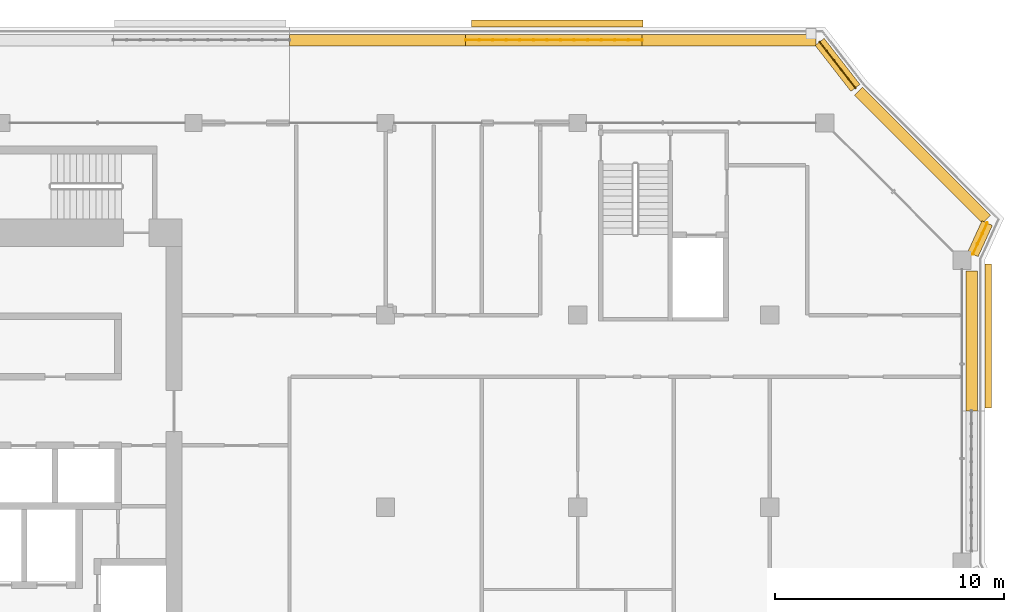
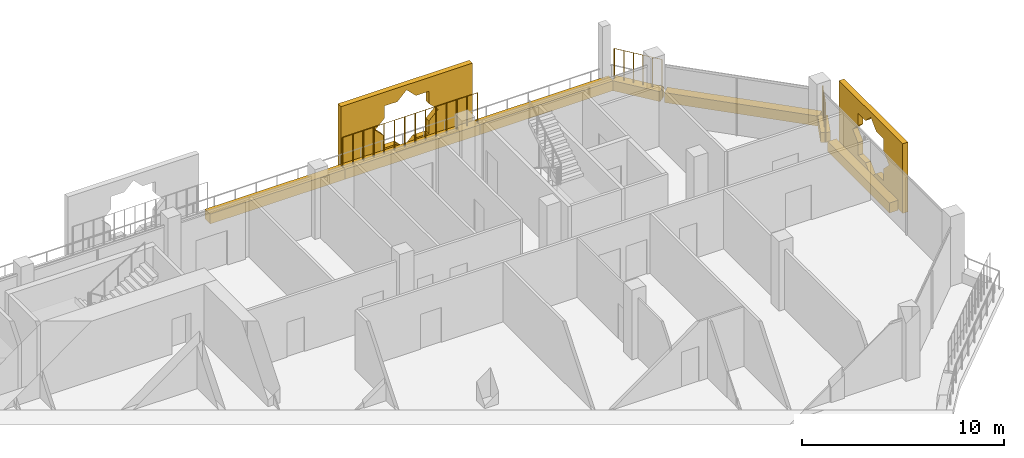
# One storey, part 21 of 21: 9 coverings, 3 railings.
"""IFC4 building model written with IfcOpenShell, lengths in metres."""

import ifcopenshell
import ifcopenshell.guid

model = None  # the IFC model being written
_history = None  # IfcOwnerHistory: only IFC2X3 demands one
_inside = {}  # id of a spatial element -> (the spatial element, [elements in it])
_under = {}  # id of a project, library or spatial element -> (it, [spatial elements below it])
_declared = {}  # id of a project -> (the project, [libraries it declares])
_typed = {}  # id of a type object -> (the type object, [elements of that type])
_made_of = {}  # id of a material, layer set ... -> (it, [elements and type objects made of it])


def new_model(schema):
    """Start an empty IFC model of exactly this schema.

    Asked for "IFC4X3", IfcOpenShell would pick the latest addendum, in which some entities
    have other attributes; the version numbers below select the first issue.
    IFC2X3 requires an IfcOwnerHistory on every rooted entity: one is made here for all.
    """
    global model, _history
    if schema == "IFC4X3":
        model = ifcopenshell.file(schema_version=(4, 3, 0, 0))
    else:
        model = ifcopenshell.file(schema=schema)
    _inside.clear()
    _under.clear()
    _declared.clear()
    _typed.clear()
    _made_of.clear()
    _history = None
    if model.schema == "IFC2X3":
        org = make("IfcOrganization", Name="unknown")
        user = make(
            "IfcPersonAndOrganization",
            ThePerson=make("IfcPerson", FamilyName="unknown"),
            TheOrganization=org,
        )
        app = make(
            "IfcApplication",
            ApplicationDeveloper=org,
            Version="unknown",
            ApplicationFullName="unknown",
            ApplicationIdentifier="unknown",
        )
        _history = make(
            "IfcOwnerHistory",
            OwningUser=user,
            OwningApplication=app,
            ChangeAction="ADDED",
            CreationDate=0,
        )
    return model


def make(cls, **values):
    """One entity of the class cls with the attributes given. An attribute that is None is left unset."""
    return model.create_entity(
        cls, **{name: value for name, value in values.items() if value is not None}
    )


def rooted(cls, **values):
    """An entity with a GlobalId (a new one), such as an element, a storey or a relation."""
    return make(cls, GlobalId=ifcopenshell.guid.new(), OwnerHistory=_history, **values)


def si_unit(unit_type, name, prefix=None):
    """IfcSIUnit, for example si_unit("LENGTHUNIT", "METRE", prefix="MILLI")."""
    return make("IfcSIUnit", UnitType=unit_type, Prefix=prefix, Name=name)


def assignment(units):
    """IfcUnitAssignment: the units of a project."""
    return None if units is None else make("IfcUnitAssignment", Units=units)


def point(xyz):
    """IfcCartesianPoint."""
    return None if xyz is None else make("IfcCartesianPoint", Coordinates=xyz)


def direction(xyz):
    """IfcDirection."""
    return None if xyz is None else make("IfcDirection", DirectionRatios=xyz)


def frame(location, z_axis=None, x_axis=None):
    """IfcAxis2Placement3D, a coordinate frame: its origin and axes. An axis left out is left unset."""
    return make(
        "IfcAxis2Placement3D",
        Location=point(location),
        Axis=direction(z_axis),
        RefDirection=direction(x_axis),
    )


def frame_2d(location, x_axis=None):
    """IfcAxis2Placement2D, a coordinate frame in the plane: its origin and x axis."""
    return make(
        "IfcAxis2Placement2D", Location=point(location), RefDirection=direction(x_axis)
    )


def origin():
    """The frame at (0, 0, 0) with its axes left unset."""
    return frame((0.0, 0.0, 0.0))


def origin_2d():
    """The frame at (0, 0) in the plane with its x axis left unset."""
    return frame_2d((0.0, 0.0))


def place(relative_to, where):
    """IfcLocalPlacement: puts the frame where relative to a parent placement (None: the world)."""
    return make(
        "IfcLocalPlacement", PlacementRelTo=relative_to, RelativePlacement=where
    )


def context(
    kind, dimensions, precision=None, world=None, true_north=None, identifier=None
):
    """IfcGeometricRepresentationContext, for example the 3D "Model" context."""
    return make(
        "IfcGeometricRepresentationContext",
        ContextIdentifier=identifier,
        ContextType=kind,
        CoordinateSpaceDimension=dimensions,
        Precision=precision,
        WorldCoordinateSystem=world,
        TrueNorth=true_north,
    )


def subcontext(parent, identifier, kind, view, scale=None):
    """IfcGeometricRepresentationSubContext, for example "Body" below "Model"."""
    return make(
        "IfcGeometricRepresentationSubContext",
        ContextIdentifier=identifier,
        ContextType=kind,
        ParentContext=parent,
        TargetScale=scale,
        TargetView=view,
    )


def project(units=None, contexts=None):
    """IfcProject with its units and contexts."""
    return rooted(
        "IfcProject",
        Name="project",
        RepresentationContexts=contexts,
        UnitsInContext=assignment(units),
    )


def spatial(cls, under=None, at=None, **own):
    """A site, building, storey or space (cls), placed at a placement, below another one or the project."""
    s = rooted(cls, ObjectPlacement=at, **own)
    if under is not None:
        _under.setdefault(under.id(), (under, []))[1].append(s)
    return s


def polyline(points):
    """IfcPolyline through the points."""
    return make("IfcPolyline", Points=[point(p) for p in points])


def profile(cls, at=None, kind="AREA", **sizes):
    """A parametric profile (cls). Its sizes go by their IFC names, for example OverallWidth=200.0."""
    return make(cls, ProfileType=kind, Position=at, **sizes)


def rectangle(**sizes):
    """IfcRectangleProfileDef."""
    return profile("IfcRectangleProfileDef", **sizes)


def circle(**sizes):
    """IfcCircleProfileDef."""
    return profile("IfcCircleProfileDef", **sizes)


def outline(outer, holes=None, kind="AREA"):
    """IfcArbitraryClosedProfileDef: a profile drawn as a closed curve; with holes, ...WithVoids."""
    if holes is None:
        return make("IfcArbitraryClosedProfileDef", ProfileType=kind, OuterCurve=outer)
    return make(
        "IfcArbitraryProfileDefWithVoids",
        ProfileType=kind,
        OuterCurve=outer,
        InnerCurves=holes,
    )


def extrude(swept, where, along, depth):
    """IfcExtrudedAreaSolid: the profile swept, set in the frame where, extruded along a direction by depth."""
    return make(
        "IfcExtrudedAreaSolid",
        SweptArea=swept,
        Position=where,
        ExtrudedDirection=direction(along),
        Depth=depth,
    )


def shape(context_of_items, identifier, shape_type, items):
    """IfcShapeRepresentation: the items that make up one representation, for example the "Body"."""
    return make(
        "IfcShapeRepresentation",
        ContextOfItems=context_of_items,
        RepresentationIdentifier=identifier,
        RepresentationType=shape_type,
        Items=items,
    )


def material(Name=None, Category=None):
    """IfcMaterial."""
    return make("IfcMaterial", Name=Name, Category=Category)


def material_profile(
    of_material, cross_section, Name=None, Category=None, Priority=None
):
    """IfcMaterialProfile: a cross section and its material."""
    return make(
        "IfcMaterialProfile",
        Name=Name,
        Material=of_material,
        Profile=cross_section,
        Priority=Priority,
        Category=Category,
    )


def profile_set(profiles, Name=None, composite=None):
    """IfcMaterialProfileSet."""
    return make(
        "IfcMaterialProfileSet",
        Name=Name,
        MaterialProfiles=profiles,
        CompositeProfile=composite,
    )


def made_of(thing, what):
    """Note that an element or type object is made of a material, layer set ...; save() writes the relation."""
    if what is not None:
        _made_of.setdefault(what.id(), (what, []))[1].append(thing)
    return thing


def type_object(cls, material=None, **own):
    """A type object (cls), such as IfcWallType, which elements share."""
    return made_of(rooted(cls, **own), material)


def element(
    cls,
    number,
    at=None,
    inside=None,
    cuts=None,
    type_object=None,
    material=None,
    context=None,
    identifier="Body",
    shape_type=None,
    held_by="IfcProductDefinitionShape",
    body=None,
    shapes=None,
    **own,
):
    """One element of the class cls, such as IfcWall. Its Tag is "e" and its number.

    at: its placement. inside: the storey or other place that contains it. cuts: it is an
    opening in that element (IfcRelVoidsElement). A single representation is given by context,
    identifier, shape_type and body (its items); several are given by shapes. held_by: the class
    of the entity that holds the representations. save() writes the other relations.
    """
    e = rooted(cls, Tag="e%d" % number, ObjectPlacement=at, **own)
    if body is not None:
        shapes = [shape(context, identifier, shape_type, body)]
    if shapes is not None:
        e.Representation = make(held_by, Representations=shapes)
    if inside is not None:
        _inside.setdefault(inside.id(), (inside, []))[1].append(e)
    if cuts is not None:
        rooted(
            "IfcRelVoidsElement", RelatingBuildingElement=cuts, RelatedOpeningElement=e
        )
    if type_object is not None:
        _typed.setdefault(type_object.id(), (type_object, []))[1].append(e)
    return made_of(e, material)


def aggregate(whole, parts):
    """IfcRelAggregates: a whole, such as a stair, and the parts it consists of."""
    return rooted("IfcRelAggregates", RelatingObject=whole, RelatedObjects=parts)


def save(model, path):
    """Write the relations noted so far, then the file.

    IfcRelAggregates (storeys below a building ...), IfcRelContainedInSpatialStructure (elements
    in a storey), IfcRelDefinesByType, IfcRelAssociatesMaterial and IfcRelDeclares: one each for
    every whole, place, type object, material and project.
    """
    for whole, parts in _under.values():
        aggregate(whole, parts)
    for where, things in _inside.values():
        rooted(
            "IfcRelContainedInSpatialStructure",
            RelatedElements=things,
            RelatingStructure=where,
        )
    for kind, things in _typed.values():
        rooted("IfcRelDefinesByType", RelatedObjects=things, RelatingType=kind)
    for what, things in _made_of.values():
        rooted("IfcRelAssociatesMaterial", RelatedObjects=things, RelatingMaterial=what)
    for by, libraries in _declared.values():
        rooted("IfcRelDeclares", RelatingContext=by, RelatedDefinitions=libraries)
    model.write(path)


model = new_model("IFC4")

# Units and contexts
model_context = context("Model", 3, precision=1e-05, world=origin(), true_north=direction((0.0, 1.0)))
body_context = subcontext(model_context, "Body", "Model", "MODEL_VIEW")
ifc_project = project(units=[si_unit("LENGTHUNIT", "METRE"), si_unit("AREAUNIT", "SQUARE_METRE"), si_unit("VOLUMEUNIT", "CUBIC_METRE"), si_unit("PLANEANGLEUNIT", "RADIAN"), si_unit("MASSUNIT", "GRAM", prefix="KILO")], contexts=[model_context])

# Site, building, storey
site_placement = place(None, origin())
site = spatial("IfcSite", under=ifc_project, at=site_placement, CompositionType="ELEMENT")
building_placement = place(site_placement, origin())
building = spatial("IfcBuilding", under=site, at=building_placement, Name="Kawkab Arch Medical Tower", CompositionType="ELEMENT")
storey_placement = place(building_placement, frame((0.0, 0.0, 311.199951171875)))
storey = spatial("IfcBuildingStorey", under=building, at=storey_placement, Name="L72", CompositionType="ELEMENT", Elevation=311.199951171875)

# Coverings
ifc_material_1 = material(Name="Bronze anodised aluminium mashrabiya panel, eight-point star pattern", Category="aluminium")
ifc_material_profile_1 = material_profile(ifc_material_1, outline(polyline([(-3.14990234375, -2.10009765625), (3.14990234375, -2.10009765625), (3.14990234375, 2.10009765625), (-3.14990234375, 2.10009765625), (-3.14990234375, -2.10009765625)]), holes=[polyline([(1.800048828125, 0.0), (1.272705078125, 0.527099609375), (1.272705078125, 1.272705078125), (0.527099609375, 1.272705078125), (0.0, 1.800048828125), (-0.527099609375, 1.272705078125), (-1.272705078125, 1.272705078125), (-1.272705078125, 0.527099609375), (-1.800048828125, 0.0), (-1.272705078125, -0.527099609375), (-1.272705078125, -1.272705078125), (-0.527099609375, -1.272705078125), (0.0, -1.800048828125), (0.527099609375, -1.272705078125), (1.272705078125, -1.272705078125), (1.272705078125, -0.527099609375), (1.800048828125, 0.0)])]), Name="Mashrabiya panel 6300x4200")
ifc_profile_set_1 = profile_set([ifc_material_profile_1], Name="Bronze anodised aluminium mashrabiya panel, eight-point star pattern")
covering_type_1 = type_object("IfcCoveringType", Name="Mashrabiya panel 6300 x 4200", PredefinedType="USERDEFINED", material=ifc_profile_set_1)
covering_1_placement = place(storey_placement, frame((59.800048828125, -9.31884765625, 1.699951171875), z_axis=(1.0, 0.0, 0.0), x_axis=(0.0, 1.0, 0.0)))
element("IfcCovering", 1, at=covering_1_placement, inside=storey, type_object=covering_type_1, Name="Mashrabiya panel L72.LOG-01-01.6", ObjectType="SCREEN", PredefinedType="USERDEFINED", context=body_context, shape_type="SweptSolid", body=[
    extrude(outline(polyline([(-3.14990234375, -2.10009765625), (3.14990234375, -2.10009765625), (3.14990234375, 2.10009765625), (-3.14990234375, 2.10009765625), (-3.14990234375, -2.10009765625)]), holes=[polyline([(1.800048828125, 0.0), (1.272705078125, 0.527099609375), (1.272705078125, 1.272705078125), (0.527099609375, 1.272705078125), (0.0, 1.800048828125), (-0.527099609375, 1.272705078125), (-1.272705078125, 1.272705078125), (-1.272705078125, 0.527099609375), (-1.800048828125, 0.0), (-1.272705078125, -0.527099609375), (-1.272705078125, -1.272705078125), (-0.527099609375, -1.272705078125), (0.0, -1.800048828125), (0.527099609375, -1.272705078125), (1.272705078125, -1.272705078125), (1.272705078125, -0.527099609375), (1.800048828125, 0.0)])]), origin(), (0.0, 0.0, 1.0), 0.300048828125),
])
ifc_material_2 = material(Name="Bronze anodised aluminium mashrabiya panel, eight-point star pattern", Category="aluminium")
ifc_material_profile_2 = material_profile(ifc_material_2, outline(polyline([(-3.75, -2.10009765625), (3.75, -2.10009765625), (3.75, 2.10009765625), (-3.75, 2.10009765625), (-3.75, -2.10009765625)]), holes=[polyline([(1.800048828125, 0.0), (1.272705078125, 0.527099609375), (1.272705078125, 1.272705078125), (0.527099609375, 1.272705078125), (0.0, 1.800048828125), (-0.527099609375, 1.272705078125), (-1.272705078125, 1.272705078125), (-1.272705078125, 0.527099609375), (-1.800048828125, 0.0), (-1.272705078125, -0.527099609375), (-1.272705078125, -1.272705078125), (-0.527099609375, -1.272705078125), (0.0, -1.800048828125), (0.527099609375, -1.272705078125), (1.272705078125, -1.272705078125), (1.272705078125, -0.527099609375), (1.800048828125, 0.0)])]), Name="Mashrabiya panel 7500x4200")
ifc_profile_set_2 = profile_set([ifc_material_profile_2], Name="Bronze anodised aluminium mashrabiya panel, eight-point star pattern")
covering_type_2 = type_object("IfcCoveringType", Name="Mashrabiya panel 7500 x 4200", PredefinedType="USERDEFINED", material=ifc_profile_set_2)
covering_2_placement = place(storey_placement, frame((41.09765625, 4.199951171875, 1.699951171875), z_axis=(0.0, 1.0, 0.0), x_axis=(-1.0, 0.0, 0.0)))
element("IfcCovering", 2, at=covering_2_placement, inside=storey, type_object=covering_type_2, Name="Mashrabiya panel L72.LOG-01-01.5", ObjectType="SCREEN", PredefinedType="USERDEFINED", context=body_context, shape_type="SweptSolid", body=[
    extrude(outline(polyline([(-3.75, -2.10009765625), (3.75, -2.10009765625), (3.75, 2.10009765625), (-3.75, 2.10009765625), (-3.75, -2.10009765625)]), holes=[polyline([(1.800048828125, 0.0), (1.272705078125, 0.527099609375), (1.272705078125, 1.272705078125), (0.527099609375, 1.272705078125), (0.0, 1.800048828125), (-0.527099609375, 1.272705078125), (-1.272705078125, 1.272705078125), (-1.272705078125, 0.527099609375), (-1.800048828125, 0.0), (-1.272705078125, -0.527099609375), (-1.272705078125, -1.272705078125), (-0.527099609375, -1.272705078125), (0.0, -1.800048828125), (0.527099609375, -1.272705078125), (1.272705078125, -1.272705078125), (1.272705078125, -0.527099609375), (1.800048828125, 0.0)])]), origin(), (0.0, 0.0, 1.0), 0.300048828125),
])
ifc_material_3 = material(Name="Planting soil in a precast trough", Category="concrete")
ifc_material_profile_3 = material_profile(ifc_material_3, rectangle(XDim=0.5, YDim=0.60009765625, at=origin_2d()), Name="Trough 500x600")
ifc_profile_set_3 = profile_set([ifc_material_profile_3], Name="Planting soil in a precast trough")
covering_type_3 = type_object("IfcCoveringType", Name="Planter trough 500 x 600", PredefinedType="USERDEFINED", material=ifc_profile_set_3)
covering_3_placement = place(storey_placement, frame((29.39990234375, 3.6201171875, 0.300048828125), z_axis=(1.0, 0.0, 0.0), x_axis=(0.0, 1.0, 0.0)))
element("IfcCovering", 3, at=covering_3_placement, inside=storey, type_object=covering_type_3, Name="Planter L72.LOG-01-01.16", ObjectType="PLANTER", PredefinedType="USERDEFINED", context=body_context, shape_type="SweptSolid", body=[
    extrude(rectangle(XDim=0.5, YDim=0.60009765625, at=origin_2d()), origin(), (0.0, 0.0, 1.0), 7.705078125),
])
covering_4_placement = place(storey_placement, frame((37.10498046875, 3.6201171875, 0.300048828125), z_axis=(1.0, 0.0, 0.0), x_axis=(0.0, 1.0, 0.0)))
element("IfcCovering", 4, at=covering_4_placement, inside=storey, type_object=covering_type_3, Name="Planter L72.LOG-01-01.17", ObjectType="PLANTER", PredefinedType="USERDEFINED", context=body_context, shape_type="SweptSolid", body=[
    extrude(rectangle(XDim=0.5, YDim=0.60009765625, at=origin_2d()), origin(), (0.0, 0.0, 1.0), 7.7060546875),
])
covering_5_placement = place(storey_placement, frame((44.81103515625, 3.6201171875, 0.300048828125), z_axis=(1.0, 0.0, 0.0), x_axis=(0.0, 1.0, 0.0)))
element("IfcCovering", 5, at=covering_5_placement, inside=storey, type_object=covering_type_3, Name="Planter L72.LOG-01-01.18", ObjectType="PLANTER", PredefinedType="USERDEFINED", context=body_context, shape_type="SweptSolid", body=[
    extrude(rectangle(XDim=0.5, YDim=0.60009765625, at=origin_2d()), origin(), (0.0, 0.0, 1.0), 7.60498046875),
])
covering_6_placement = place(storey_placement, frame((52.577880859375, 3.541015625, 0.300048828125), z_axis=(0.614099956103, -0.789228258436, 0.0), x_axis=(0.789228258436, 0.614099956103, 0.0)))
element("IfcCovering", 6, at=covering_6_placement, inside=storey, type_object=covering_type_3, Name="Planter L72.LOG-01-01.19", ObjectType="PLANTER", PredefinedType="USERDEFINED", context=body_context, shape_type="SweptSolid", body=[
    extrude(rectangle(XDim=0.5, YDim=0.60009765625, at=origin_2d()), origin(), (0.0, 0.0, 1.0), 2.545654296875),
])
covering_7_placement = place(storey_placement, frame((54.27294921875, 1.383056640625, 0.300048828125), z_axis=(0.707106781187, -0.707106781187, 0.0), x_axis=(0.707106781187, 0.707106781187, 0.0)))
element("IfcCovering", 7, at=covering_7_placement, inside=storey, type_object=covering_type_3, Name="Planter L72.LOG-01-01.20", ObjectType="PLANTER", PredefinedType="USERDEFINED", context=body_context, shape_type="SweptSolid", body=[
    extrude(rectangle(XDim=0.5, YDim=0.60009765625, at=origin_2d()), origin(), (0.0, 0.0, 1.0), 7.919677734375),
])
covering_8_placement = place(storey_placement, frame((59.902099609375, -4.37890625, 0.300048828125), z_axis=(-0.415189748133, -0.909734836667, 0.0), x_axis=(0.909734836667, -0.415189748133, 0.0)))
element("IfcCovering", 8, at=covering_8_placement, inside=storey, type_object=covering_type_3, Name="Planter L72.LOG-01-01.21", ObjectType="PLANTER", PredefinedType="USERDEFINED", context=body_context, shape_type="SweptSolid", body=[
    extrude(rectangle(XDim=0.5, YDim=0.60009765625, at=origin_2d()), origin(), (0.0, 0.0, 1.0), 1.498291015625),
])
covering_9_placement = place(storey_placement, frame((59.219970703125, -6.47998046875, 0.300048828125), z_axis=(0.0, -1.0, 0.0), x_axis=(1.0, 0.0, 0.0)))
element("IfcCovering", 9, at=covering_9_placement, inside=storey, type_object=covering_type_3, Name="Planter L72.LOG-01-01.22", ObjectType="PLANTER", PredefinedType="USERDEFINED", context=body_context, shape_type="SweptSolid", body=[
    extrude(rectangle(XDim=0.5, YDim=0.60009765625, at=origin_2d()), origin(), (0.0, 0.0, 1.0), 6.1201171875),
])

# Railings
ifc_material_4 = material(Name="Bronze anodised aluminium trellis for climbing plants", Category="aluminium")
railing_type = type_object("IfcRailingType", Name="Planting trellis 2400", PredefinedType="USERDEFINED", material=ifc_material_4)
railing_1_placement = place(storey_placement, frame((37.10498046875, 3.6201171875, 0.0)))
element("IfcRailing", 10, at=railing_1_placement, inside=storey, type_object=railing_type, Name="Planting trellis L72.LOG-01-01.17", ObjectType="TRELLIS", PredefinedType="USERDEFINED", context=body_context, shape_type="SweptSolid", body=[
    extrude(circle(Radius=0.01513671875, at=origin_2d()), frame((0.0, 0.0, 2.384765625), z_axis=(1.0, 0.0, 0.0), x_axis=(0.0, 1.0, 0.0)), (0.0, 0.0, 1.0), 7.7060546875),
    extrude(circle(Radius=0.030029296875, at=origin_2d()), origin(), (0.0, 0.0, 1.0), 2.369873046875),
    extrude(circle(Radius=0.030029296875, at=origin_2d()), frame((0.5927734375, 0.0, 0.0)), (0.0, 0.0, 1.0), 2.369873046875),
    extrude(circle(Radius=0.030029296875, at=origin_2d()), frame((1.185546875, 0.0, 0.0)), (0.0, 0.0, 1.0), 2.369873046875),
    extrude(circle(Radius=0.030029296875, at=origin_2d()), frame((1.7783203125, 0.0, 0.0)), (0.0, 0.0, 1.0), 2.369873046875),
    extrude(circle(Radius=0.030029296875, at=origin_2d()), frame((2.37109375, 0.0, 0.0)), (0.0, 0.0, 1.0), 2.369873046875),
    extrude(circle(Radius=0.030029296875, at=origin_2d()), frame((2.9638671875, 0.0, 0.0)), (0.0, 0.0, 1.0), 2.369873046875),
    extrude(circle(Radius=0.030029296875, at=origin_2d()), frame((3.556640625, 0.0, 0.0)), (0.0, 0.0, 1.0), 2.369873046875),
    extrude(circle(Radius=0.030029296875, at=origin_2d()), frame((4.1494140625, 0.0, 0.0)), (0.0, 0.0, 1.0), 2.369873046875),
    extrude(circle(Radius=0.030029296875, at=origin_2d()), frame((4.7421875, 0.0, 0.0)), (0.0, 0.0, 1.0), 2.369873046875),
    extrude(circle(Radius=0.030029296875, at=origin_2d()), frame((5.3349609375, 0.0, 0.0)), (0.0, 0.0, 1.0), 2.369873046875),
    extrude(circle(Radius=0.030029296875, at=origin_2d()), frame((5.927734375, 0.0, 0.0)), (0.0, 0.0, 1.0), 2.369873046875),
    extrude(circle(Radius=0.030029296875, at=origin_2d()), frame((6.5205078125, 0.0, 0.0)), (0.0, 0.0, 1.0), 2.369873046875),
    extrude(circle(Radius=0.030029296875, at=origin_2d()), frame((7.11328125, 0.0, 0.0)), (0.0, 0.0, 1.0), 2.369873046875),
    extrude(circle(Radius=0.030029296875, at=origin_2d()), frame((7.7060546875, 0.0, 0.0)), (0.0, 0.0, 1.0), 2.369873046875),
])
railing_2_placement = place(storey_placement, frame((52.577880859375, 3.541015625, 0.0)))
element("IfcRailing", 11, at=railing_2_placement, inside=storey, type_object=railing_type, Name="Planting trellis L72.LOG-01-01.19", ObjectType="TRELLIS", PredefinedType="USERDEFINED", context=body_context, shape_type="SweptSolid", body=[
    extrude(circle(Radius=0.01513671875, at=origin_2d()), frame((0.0, 0.0, 2.384765625), z_axis=(0.614099956103, -0.789228258436, 0.0), x_axis=(0.789228258436, 0.614099956103, 0.0)), (0.0, 0.0, 1.0), 2.545654296875),
    extrude(circle(Radius=0.030029296875, at=origin_2d()), origin(), (0.0, 0.0, 1.0), 2.369873046875),
    extrude(circle(Radius=0.030029296875, at=origin_2d()), frame((0.312744140625, -0.40185546875, 0.0)), (0.0, 0.0, 1.0), 2.369873046875),
    extrude(circle(Radius=0.030029296875, at=origin_2d()), frame((0.625244140625, -0.8037109375, 0.0)), (0.0, 0.0, 1.0), 2.369873046875),
    extrude(circle(Radius=0.030029296875, at=origin_2d()), frame((0.93798828125, -1.205322265625, 0.0)), (0.0, 0.0, 1.0), 2.369873046875),
    extrude(circle(Radius=0.030029296875, at=origin_2d()), frame((1.25048828125, -1.607177734375, 0.0)), (0.0, 0.0, 1.0), 2.369873046875),
    extrude(circle(Radius=0.030029296875, at=origin_2d()), frame((1.563232421875, -2.009033203125, 0.0)), (0.0, 0.0, 1.0), 2.369873046875),
])
railing_3_placement = place(storey_placement, frame((59.902099609375, -4.37890625, 0.0)))
element("IfcRailing", 12, at=railing_3_placement, inside=storey, type_object=railing_type, Name="Planting trellis L72.LOG-01-01.21", ObjectType="TRELLIS", PredefinedType="USERDEFINED", context=body_context, shape_type="SweptSolid", body=[
    extrude(circle(Radius=0.01513671875, at=origin_2d()), frame((0.0, 0.0, 2.384765625), z_axis=(-0.415189748133, -0.909734836667, 0.0), x_axis=(0.909734836667, -0.415189748133, 0.0)), (0.0, 0.0, 1.0), 1.498291015625),
    extrude(circle(Radius=0.030029296875, at=origin_2d()), origin(), (0.0, 0.0, 1.0), 2.369873046875),
    extrude(circle(Radius=0.030029296875, at=origin_2d()), frame((-0.207275390625, -0.454345703125, 0.0)), (0.0, 0.0, 1.0), 2.369873046875),
    extrude(circle(Radius=0.030029296875, at=origin_2d()), frame((-0.414794921875, -0.90869140625, 0.0)), (0.0, 0.0, 1.0), 2.369873046875),
    extrude(circle(Radius=0.030029296875, at=origin_2d()), frame((-0.6220703125, -1.363037109375, 0.0)), (0.0, 0.0, 1.0), 2.369873046875),
])

save(model, "model.ifc")
